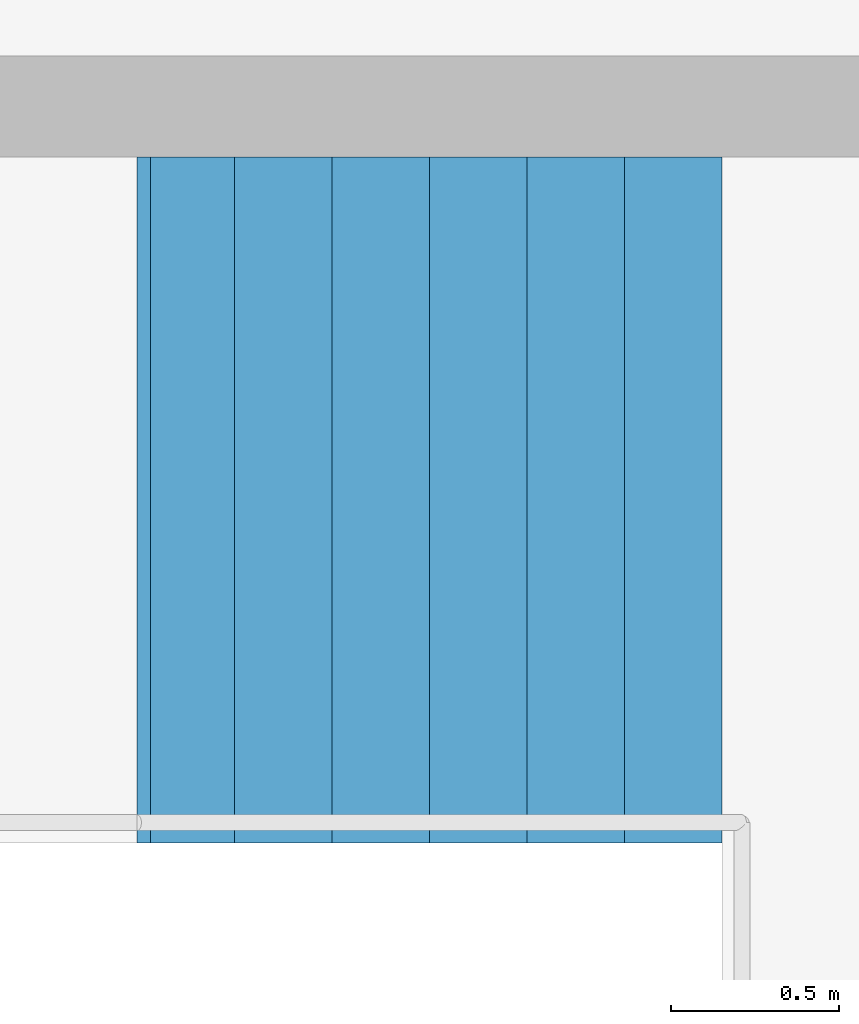
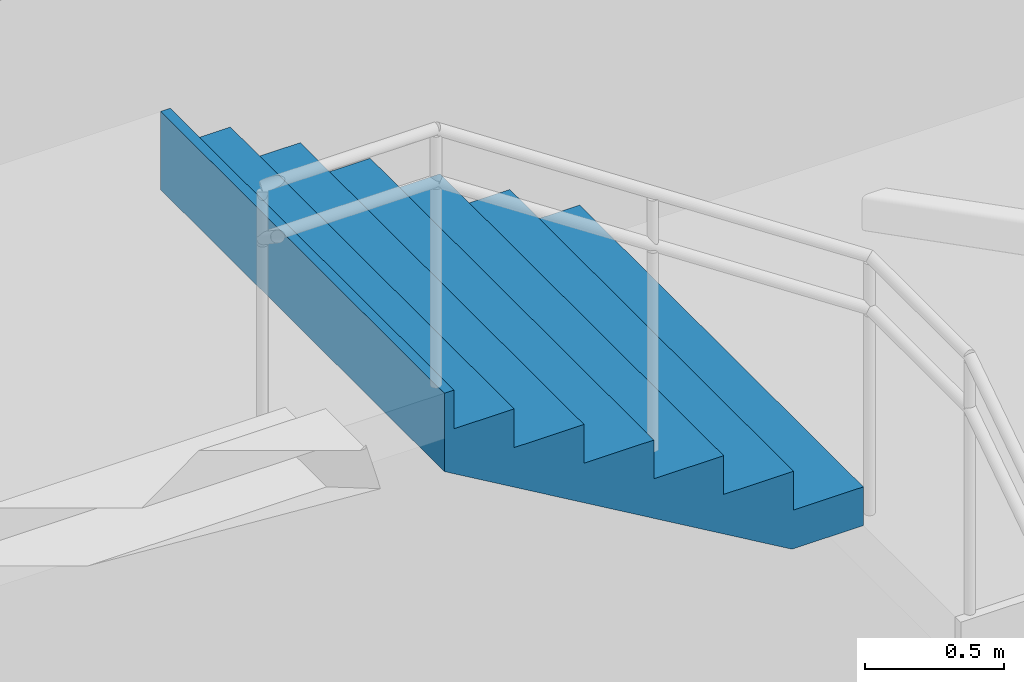
# One storey, part 22 of 32: 1 stair flight, 1 element without a shape of its own.
"""IFC4 building model written with IfcOpenShell, lengths in metres."""

from ifc_helpers import new_model, si_unit, direction, frame, origin, place, context, subcontext, project, spatial, triangles, material, type_object, element, aggregate, save


model = new_model("IFC4")

# Units and contexts
model_context = context("Model", 3, precision=1e-05, world=origin(), true_north=direction((0.0, 1.0)))
body_context = subcontext(model_context, "Body", "Model", "MODEL_VIEW")
ifc_project = project(units=[si_unit("LENGTHUNIT", "METRE"), si_unit("AREAUNIT", "SQUARE_METRE"), si_unit("VOLUMEUNIT", "CUBIC_METRE"), si_unit("PLANEANGLEUNIT", "RADIAN"), si_unit("MASSUNIT", "GRAM", prefix="KILO")], contexts=[model_context])

# Site, building, storey
site_placement = place(None, origin())
site = spatial("IfcSite", under=ifc_project, at=site_placement, CompositionType="ELEMENT")
building_placement = place(site_placement, origin())
building = spatial("IfcBuilding", under=site, at=building_placement, Name="Sillaruma Civic Art Gallery", CompositionType="ELEMENT")
storey_placement = place(building_placement, frame((0.0, 0.0, -4.590087890625)))
storey = spatial("IfcBuildingStorey", under=building, at=storey_placement, Name="B01", CompositionType="ELEMENT", Elevation=-4.590087890625)

# Stair, stair flight
ifc_material = material(Name="Concrete H35 (35 MPa)", Category="concrete")
stair_type = type_object("IfcStairType", Name="STR-4F-27", PredefinedType="USERDEFINED", material=ifc_material)
stair_placement = place(storey_placement, origin())
stair = element("IfcStair", 1, at=stair_placement, inside=storey, type_object=stair_type, Name="Protected Exit Stair ST-01 (West Wing) (B01)", ObjectType="THREE_RETURN_STAIR", PredefinedType="USERDEFINED")
stair_flight_type = type_object("IfcStairFlightType", Name="SFL-STR-7", PredefinedType="STRAIGHT", material=ifc_material)
stair_flight_placement = place(storey_placement, frame((30.0, 106.159912109375, 2.380126953125), z_axis=(0.0, 0.0, 1.0), x_axis=(-1.0, 0.0, 0.0)))
stair_flight = element("IfcStairFlight", 2, at=stair_flight_placement, type_object=stair_flight_type, Name="ST-01 flight 3", NumberOfRisers=7, NumberOfTreads=6, PredefinedType="STRAIGHT", RiserHeight=0.17, TreadLength=0.29, context=body_context, shape_type="Tessellation", body=[
    triangles([(0.0, -1.02001953125, 0.0), (0.29, -1.02001953125, 0.0), (0.296404, -1.02001953125, 0.0), (0.58, -1.02001953125, 0.166246), (0.87, -1.02001953125, 0.336246), (1.16, -1.02001953125, 0.506246), (1.45, -1.02001953125, 0.676246), (1.69999, -1.02001953125, 0.822792), (1.73999, -1.02001953125, 0.84624), (1.73999, -1.02001953125, 1.19), (1.69999, -1.02001953125, 1.19), (1.69999, -1.02001953125, 1.02), (1.45, -1.02001953125, 1.02), (1.45, -1.02001953125, 0.85), (1.16, -1.02001953125, 0.85), (1.16, -1.02001953125, 0.68), (0.87, -1.02001953125, 0.68), (0.87, -1.02001953125, 0.51), (0.58, -1.02001953125, 0.51), (0.58, -1.02001953125, 0.34), (0.296404, -1.02001953125, 0.34), (0.29, -1.02001953125, 0.34), (0.29, -1.02001953125, 0.17), (0.0, -1.02001953125, 0.17), (0.0, -0.05, 0.0), (0.29, -0.05, 0.0), (0.296404, -0.05, 0.0), (0.58, -0.05, 0.166246), (0.87, -0.05, 0.336246), (1.16, -0.05, 0.506246), (1.45, -0.05, 0.676246), (1.69999, -0.05, 0.822792), (1.73999, -0.05, 0.84624), (1.73999, -0.05, 1.19), (1.69999, -0.05, 1.19), (1.69999, -0.05, 1.02), (1.45, -0.05, 1.02), (1.45, -0.05, 0.85), (1.16, -0.05, 0.85), (1.16, -0.05, 0.68), (0.87, -0.05, 0.68), (0.87, -0.05, 0.51), (0.58, -0.05, 0.51), (0.58, -0.05, 0.34), (0.296404, -0.05, 0.34), (0.29, -0.05, 0.34), (0.29, -0.05, 0.17), (0.0, -0.05, 0.17), (0.0, -0.0375, 0.0), (0.29, -0.0375, 0.0), (0.296404, -0.0375, 0.0), (0.58, -0.0375, 0.166246), (0.87, -0.0375, 0.336246), (1.16, -0.0375, 0.506246), (1.45, -0.0375, 0.676246), (1.69999, -0.0375, 0.822792), (1.73999, -0.0375, 0.84624), (1.73999, -0.0375, 1.19), (1.69999, -0.0375, 1.19), (1.69999, -0.0375, 1.02), (1.45, -0.0375, 1.02), (1.45, -0.0375, 0.85), (1.16, -0.0375, 0.85), (1.16, -0.0375, 0.68), (0.87, -0.0375, 0.68), (0.87, -0.0375, 0.51), (0.58, -0.0375, 0.51), (0.58, -0.0375, 0.34), (0.296404, -0.0375, 0.34), (0.29, -0.0375, 0.34), (0.29, -0.0375, 0.17), (0.0, -0.0375, 0.17), (0.0, -0.025, 0.0), (0.29, -0.025, 0.0), (0.296404, -0.025, 0.0), (0.58, -0.025, 0.166246), (0.87, -0.025, 0.336246), (1.16, -0.025, 0.506246), (1.45, -0.025, 0.676246), (1.69999, -0.025, 0.822792), (1.73999, -0.025, 0.84624), (1.73999, -0.025, 1.19), (1.69999, -0.025, 1.19), (1.69999, -0.025, 1.02), (1.45, -0.025, 1.02), (1.45, -0.025, 0.85), (1.16, -0.025, 0.85), (1.16, -0.025, 0.68), (0.87, -0.025, 0.68), (0.87, -0.025, 0.51), (0.58, -0.025, 0.51), (0.58, -0.025, 0.34), (0.296404, -0.025, 0.34), (0.29, -0.025, 0.34), (0.29, -0.025, 0.17), (0.0, -0.025, 0.17), (0.0, -0.0125, 0.0), (0.29, -0.0125, 0.0), (0.296404, -0.0125, 0.0), (0.58, -0.0125, 0.166246), (0.87, -0.0125, 0.336246), (1.16, -0.0125, 0.506246), (1.45, -0.0125, 0.676246), (1.69999, -0.0125, 0.822792), (1.73999, -0.0125, 0.84624), (1.73999, -0.0125, 1.19), (1.69999, -0.0125, 1.19), (1.69999, -0.0125, 1.02), (1.45, -0.0125, 1.02), (1.45, -0.0125, 0.85), (1.16, -0.0125, 0.85), (1.16, -0.0125, 0.68), (0.87, -0.0125, 0.68), (0.87, -0.0125, 0.51), (0.58, -0.0125, 0.51), (0.58, -0.0125, 0.34), (0.296404, -0.0125, 0.34), (0.29, -0.0125, 0.34), (0.29, -0.0125, 0.17), (0.0, -0.0125, 0.17), (0.0, 0.0, 0.0), (0.29, 0.0, 0.0), (0.296404, 0.0, 0.0), (0.58, 0.0, 0.166246), (0.87, 0.0, 0.336246), (1.16, 0.0, 0.506246), (1.45, 0.0, 0.676246), (1.69999, 0.0, 0.822792), (1.73999, 0.0, 0.84624), (1.73999, 0.0, 1.19), (1.69999, 0.0, 1.19), (1.69999, 0.0, 1.02), (1.45, 0.0, 1.02), (1.45, 0.0, 0.85), (1.16, 0.0, 0.85), (1.16, 0.0, 0.68), (0.87, 0.0, 0.68), (0.87, 0.0, 0.51), (0.58, 0.0, 0.51), (0.58, 0.0, 0.34), (0.296404, 0.0, 0.34), (0.29, 0.0, 0.34), (0.29, 0.0, 0.17), (0.0, 0.0, 0.17), (0.0, 0.0125, 0.0), (0.29, 0.0125, 0.0), (0.296404, 0.0125, 0.0), (0.58, 0.0125, 0.166246), (0.87, 0.0125, 0.336246), (1.16, 0.0125, 0.506246), (1.45, 0.0125, 0.676246), (1.69999, 0.0125, 0.822792), (1.73999, 0.0125, 0.84624), (1.73999, 0.0125, 1.19), (1.69999, 0.0125, 1.19), (1.69999, 0.0125, 1.02), (1.45, 0.0125, 1.02), (1.45, 0.0125, 0.85), (1.16, 0.0125, 0.85), (1.16, 0.0125, 0.68), (0.87, 0.0125, 0.68), (0.87, 0.0125, 0.51), (0.58, 0.0125, 0.51), (0.58, 0.0125, 0.34), (0.296404, 0.0125, 0.34), (0.29, 0.0125, 0.34), (0.29, 0.0125, 0.17), (0.0, 0.0125, 0.17), (0.0, 0.025, 0.0), (0.29, 0.025, 0.0), (0.296404, 0.025, 0.0), (0.58, 0.025, 0.166246), (0.87, 0.025, 0.336246), (1.16, 0.025, 0.506246), (1.45, 0.025, 0.676246), (1.69999, 0.025, 0.822792), (1.73999, 0.025, 0.84624), (1.73999, 0.025, 1.19), (1.69999, 0.025, 1.19), (1.69999, 0.025, 1.02), (1.45, 0.025, 1.02), (1.45, 0.025, 0.85), (1.16, 0.025, 0.85), (1.16, 0.025, 0.68), (0.87, 0.025, 0.68), (0.87, 0.025, 0.51), (0.58, 0.025, 0.51), (0.58, 0.025, 0.34), (0.296404, 0.025, 0.34), (0.29, 0.025, 0.34), (0.29, 0.025, 0.17), (0.0, 0.025, 0.17), (0.0, 0.0375, 0.0), (0.29, 0.0375, 0.0), (0.296404, 0.0375, 0.0), (0.58, 0.0375, 0.166246), (0.87, 0.0375, 0.336246), (1.16, 0.0375, 0.506246), (1.45, 0.0375, 0.676246), (1.69999, 0.0375, 0.822792), (1.73999, 0.0375, 0.84624), (1.73999, 0.0375, 1.19), (1.69999, 0.0375, 1.19), (1.69999, 0.0375, 1.02), (1.45, 0.0375, 1.02), (1.45, 0.0375, 0.85), (1.16, 0.0375, 0.85), (1.16, 0.0375, 0.68), (0.87, 0.0375, 0.68), (0.87, 0.0375, 0.51), (0.58, 0.0375, 0.51), (0.58, 0.0375, 0.34), (0.296404, 0.0375, 0.34), (0.29, 0.0375, 0.34), (0.29, 0.0375, 0.17), (0.0, 0.0375, 0.17), (0.0, 0.05, 0.0), (0.29, 0.05, 0.0), (0.296404, 0.05, 0.0), (0.58, 0.05, 0.166246), (0.87, 0.05, 0.336246), (1.16, 0.05, 0.506246), (1.45, 0.05, 0.676246), (1.69999, 0.05, 0.822792), (1.73999, 0.05, 0.84624), (1.73999, 0.05, 1.19), (1.69999, 0.05, 1.19), (1.69999, 0.05, 1.02), (1.45, 0.05, 1.02), (1.45, 0.05, 0.85), (1.16, 0.05, 0.85), (1.16, 0.05, 0.68), (0.87, 0.05, 0.68), (0.87, 0.05, 0.51), (0.58, 0.05, 0.51), (0.58, 0.05, 0.34), (0.296404, 0.05, 0.34), (0.29, 0.05, 0.34), (0.29, 0.05, 0.17), (0.0, 0.05, 0.17), (0.0, 1.02001953125, 0.0), (0.29, 1.02001953125, 0.0), (0.296404, 1.02001953125, 0.0), (0.58, 1.02001953125, 0.166246), (0.87, 1.02001953125, 0.336246), (1.16, 1.02001953125, 0.506246), (1.45, 1.02001953125, 0.676246), (1.69999, 1.02001953125, 0.822792), (1.73999, 1.02001953125, 0.84624), (1.73999, 1.02001953125, 1.19), (1.69999, 1.02001953125, 1.19), (1.69999, 1.02001953125, 1.02), (1.45, 1.02001953125, 1.02), (1.45, 1.02001953125, 0.85), (1.16, 1.02001953125, 0.85), (1.16, 1.02001953125, 0.68), (0.87, 1.02001953125, 0.68), (0.87, 1.02001953125, 0.51), (0.58, 1.02001953125, 0.51), (0.58, 1.02001953125, 0.34), (0.296404, 1.02001953125, 0.34), (0.29, 1.02001953125, 0.34), (0.29, 1.02001953125, 0.17), (0.0, 1.02001953125, 0.17)], [[1, 2, 23], [1, 23, 24], [2, 3, 21], [2, 21, 23], [23, 21, 22], [3, 4, 20], [3, 20, 21], [4, 5, 18], [4, 18, 20], [20, 18, 19], [5, 6, 16], [5, 16, 18], [18, 16, 17], [6, 7, 14], [6, 14, 16], [16, 14, 15], [7, 8, 12], [7, 12, 14], [14, 12, 13], [8, 9, 10], [8, 10, 12], [12, 10, 11], [263, 242, 241], [264, 263, 241], [261, 243, 242], [263, 261, 242], [262, 261, 263], [260, 244, 243], [261, 260, 243], [258, 245, 244], [260, 258, 244], [259, 258, 260], [256, 246, 245], [258, 256, 245], [257, 256, 258], [254, 247, 246], [256, 254, 246], [255, 254, 256], [252, 248, 247], [254, 252, 247], [253, 252, 254], [250, 249, 248], [252, 250, 248], [251, 250, 252], [2, 1, 25], [2, 25, 26], [3, 2, 26], [3, 26, 27], [4, 3, 27], [4, 27, 28], [5, 4, 28], [5, 28, 29], [6, 5, 29], [6, 29, 30], [7, 6, 30], [7, 30, 31], [8, 7, 31], [8, 31, 32], [9, 8, 32], [9, 32, 33], [10, 9, 33], [10, 33, 34], [11, 10, 34], [11, 34, 35], [12, 11, 35], [12, 35, 36], [13, 12, 36], [13, 36, 37], [14, 13, 37], [14, 37, 38], [15, 14, 38], [15, 38, 39], [16, 15, 39], [16, 39, 40], [17, 16, 40], [17, 40, 41], [18, 17, 41], [18, 41, 42], [19, 18, 42], [19, 42, 43], [20, 19, 43], [20, 43, 44], [21, 20, 44], [21, 44, 45], [22, 21, 45], [22, 45, 46], [23, 22, 46], [23, 46, 47], [24, 23, 47], [24, 47, 48], [1, 24, 48], [1, 48, 25], [26, 25, 49], [26, 49, 50], [27, 26, 50], [27, 50, 51], [28, 27, 51], [28, 51, 52], [29, 28, 52], [29, 52, 53], [30, 29, 53], [30, 53, 54], [31, 30, 54], [31, 54, 55], [32, 31, 55], [32, 55, 56], [33, 32, 56], [33, 56, 57], [34, 33, 57], [34, 57, 58], [35, 34, 58], [35, 58, 59], [36, 35, 59], [36, 59, 60], [37, 36, 60], [37, 60, 61], [38, 37, 61], [38, 61, 62], [39, 38, 62], [39, 62, 63], [40, 39, 63], [40, 63, 64], [41, 40, 64], [41, 64, 65], [42, 41, 65], [42, 65, 66], [43, 42, 66], [43, 66, 67], [44, 43, 67], [44, 67, 68], [45, 44, 68], [45, 68, 69], [46, 45, 69], [46, 69, 70], [47, 46, 70], [47, 70, 71], [48, 47, 71], [48, 71, 72], [25, 48, 72], [25, 72, 49], [50, 49, 73], [50, 73, 74], [51, 50, 74], [51, 74, 75], [52, 51, 75], [52, 75, 76], [53, 52, 76], [53, 76, 77], [54, 53, 77], [54, 77, 78], [55, 54, 78], [55, 78, 79], [56, 55, 79], [56, 79, 80], [57, 56, 80], [57, 80, 81], [58, 57, 81], [58, 81, 82], [59, 58, 82], [59, 82, 83], [60, 59, 83], [60, 83, 84], [61, 60, 84], [61, 84, 85], [62, 61, 85], [62, 85, 86], [63, 62, 86], [63, 86, 87], [64, 63, 87], [64, 87, 88], [65, 64, 88], [65, 88, 89], [66, 65, 89], [66, 89, 90], [67, 66, 90], [67, 90, 91], [68, 67, 91], [68, 91, 92], [69, 68, 92], [69, 92, 93], [70, 69, 93], [70, 93, 94], [71, 70, 94], [71, 94, 95], [72, 71, 95], [72, 95, 96], [49, 72, 96], [49, 96, 73], [74, 73, 97], [74, 97, 98], [75, 74, 98], [75, 98, 99], [76, 75, 99], [76, 99, 100], [77, 76, 100], [77, 100, 101], [78, 77, 101], [78, 101, 102], [79, 78, 102], [79, 102, 103], [80, 79, 103], [80, 103, 104], [81, 80, 104], [81, 104, 105], [82, 81, 105], [82, 105, 106], [83, 82, 106], [83, 106, 107], [84, 83, 107], [84, 107, 108], [85, 84, 108], [85, 108, 109], [86, 85, 109], [86, 109, 110], [87, 86, 110], [87, 110, 111], [88, 87, 111], [88, 111, 112], [89, 88, 112], [89, 112, 113], [90, 89, 113], [90, 113, 114], [91, 90, 114], [91, 114, 115], [92, 91, 115], [92, 115, 116], [93, 92, 116], [93, 116, 117], [94, 93, 117], [94, 117, 118], [95, 94, 118], [95, 118, 119], [96, 95, 119], [96, 119, 120], [73, 96, 120], [73, 120, 97], [98, 97, 121], [98, 121, 122], [99, 98, 122], [99, 122, 123], [100, 99, 123], [100, 123, 124], [101, 100, 124], [101, 124, 125], [102, 101, 125], [102, 125, 126], [103, 102, 126], [103, 126, 127], [104, 103, 127], [104, 127, 128], [105, 104, 128], [105, 128, 129], [106, 105, 129], [106, 129, 130], [107, 106, 130], [107, 130, 131], [108, 107, 131], [108, 131, 132], [109, 108, 132], [109, 132, 133], [110, 109, 133], [110, 133, 134], [111, 110, 134], [111, 134, 135], [112, 111, 135], [112, 135, 136], [113, 112, 136], [113, 136, 137], [114, 113, 137], [114, 137, 138], [115, 114, 138], [115, 138, 139], [116, 115, 139], [116, 139, 140], [117, 116, 140], [117, 140, 141], [118, 117, 141], [118, 141, 142], [119, 118, 142], [119, 142, 143], [120, 119, 143], [120, 143, 144], [97, 120, 144], [97, 144, 121], [122, 121, 145], [122, 145, 146], [123, 122, 146], [123, 146, 147], [124, 123, 147], [124, 147, 148], [125, 124, 148], [125, 148, 149], [126, 125, 149], [126, 149, 150], [127, 126, 150], [127, 150, 151], [128, 127, 151], [128, 151, 152], [129, 128, 152], [129, 152, 153], [130, 129, 153], [130, 153, 154], [131, 130, 154], [131, 154, 155], [132, 131, 155], [132, 155, 156], [133, 132, 156], [133, 156, 157], [134, 133, 157], [134, 157, 158], [135, 134, 158], [135, 158, 159], [136, 135, 159], [136, 159, 160], [137, 136, 160], [137, 160, 161], [138, 137, 161], [138, 161, 162], [139, 138, 162], [139, 162, 163], [140, 139, 163], [140, 163, 164], [141, 140, 164], [141, 164, 165], [142, 141, 165], [142, 165, 166], [143, 142, 166], [143, 166, 167], [144, 143, 167], [144, 167, 168], [121, 144, 168], [121, 168, 145], [146, 145, 169], [146, 169, 170], [147, 146, 170], [147, 170, 171], [148, 147, 171], [148, 171, 172], [149, 148, 172], [149, 172, 173], [150, 149, 173], [150, 173, 174], [151, 150, 174], [151, 174, 175], [152, 151, 175], [152, 175, 176], [153, 152, 176], [153, 176, 177], [154, 153, 177], [154, 177, 178], [155, 154, 178], [155, 178, 179], [156, 155, 179], [156, 179, 180], [157, 156, 180], [157, 180, 181], [158, 157, 181], [158, 181, 182], [159, 158, 182], [159, 182, 183], [160, 159, 183], [160, 183, 184], [161, 160, 184], [161, 184, 185], [162, 161, 185], [162, 185, 186], [163, 162, 186], [163, 186, 187], [164, 163, 187], [164, 187, 188], [165, 164, 188], [165, 188, 189], [166, 165, 189], [166, 189, 190], [167, 166, 190], [167, 190, 191], [168, 167, 191], [168, 191, 192], [145, 168, 192], [145, 192, 169], [170, 169, 193], [170, 193, 194], [171, 170, 194], [171, 194, 195], [172, 171, 195], [172, 195, 196], [173, 172, 196], [173, 196, 197], [174, 173, 197], [174, 197, 198], [175, 174, 198], [175, 198, 199], [176, 175, 199], [176, 199, 200], [177, 176, 200], [177, 200, 201], [178, 177, 201], [178, 201, 202], [179, 178, 202], [179, 202, 203], [180, 179, 203], [180, 203, 204], [181, 180, 204], [181, 204, 205], [182, 181, 205], [182, 205, 206], [183, 182, 206], [183, 206, 207], [184, 183, 207], [184, 207, 208], [185, 184, 208], [185, 208, 209], [186, 185, 209], [186, 209, 210], [187, 186, 210], [187, 210, 211], [188, 187, 211], [188, 211, 212], [189, 188, 212], [189, 212, 213], [190, 189, 213], [190, 213, 214], [191, 190, 214], [191, 214, 215], [192, 191, 215], [192, 215, 216], [169, 192, 216], [169, 216, 193], [194, 193, 217], [194, 217, 218], [195, 194, 218], [195, 218, 219], [196, 195, 219], [196, 219, 220], [197, 196, 220], [197, 220, 221], [198, 197, 221], [198, 221, 222], [199, 198, 222], [199, 222, 223], [200, 199, 223], [200, 223, 224], [201, 200, 224], [201, 224, 225], [202, 201, 225], [202, 225, 226], [203, 202, 226], [203, 226, 227], [204, 203, 227], [204, 227, 228], [205, 204, 228], [205, 228, 229], [206, 205, 229], [206, 229, 230], [207, 206, 230], [207, 230, 231], [208, 207, 231], [208, 231, 232], [209, 208, 232], [209, 232, 233], [210, 209, 233], [210, 233, 234], [211, 210, 234], [211, 234, 235], [212, 211, 235], [212, 235, 236], [213, 212, 236], [213, 236, 237], [214, 213, 237], [214, 237, 238], [215, 214, 238], [215, 238, 239], [216, 215, 239], [216, 239, 240], [193, 216, 240], [193, 240, 217], [218, 217, 241], [218, 241, 242], [219, 218, 242], [219, 242, 243], [220, 219, 243], [220, 243, 244], [221, 220, 244], [221, 244, 245], [222, 221, 245], [222, 245, 246], [223, 222, 246], [223, 246, 247], [224, 223, 247], [224, 247, 248], [225, 224, 248], [225, 248, 249], [226, 225, 249], [226, 249, 250], [227, 226, 250], [227, 250, 251], [228, 227, 251], [228, 251, 252], [229, 228, 252], [229, 252, 253], [230, 229, 253], [230, 253, 254], [231, 230, 254], [231, 254, 255], [232, 231, 255], [232, 255, 256], [233, 232, 256], [233, 256, 257], [234, 233, 257], [234, 257, 258], [235, 234, 258], [235, 258, 259], [236, 235, 259], [236, 259, 260], [237, 236, 260], [237, 260, 261], [238, 237, 261], [238, 261, 262], [239, 238, 262], [239, 262, 263], [240, 239, 263], [240, 263, 264], [217, 240, 264], [217, 264, 241]], closed=True),
])
aggregate(stair, [stair_flight])

save(model, "model.ifc")
